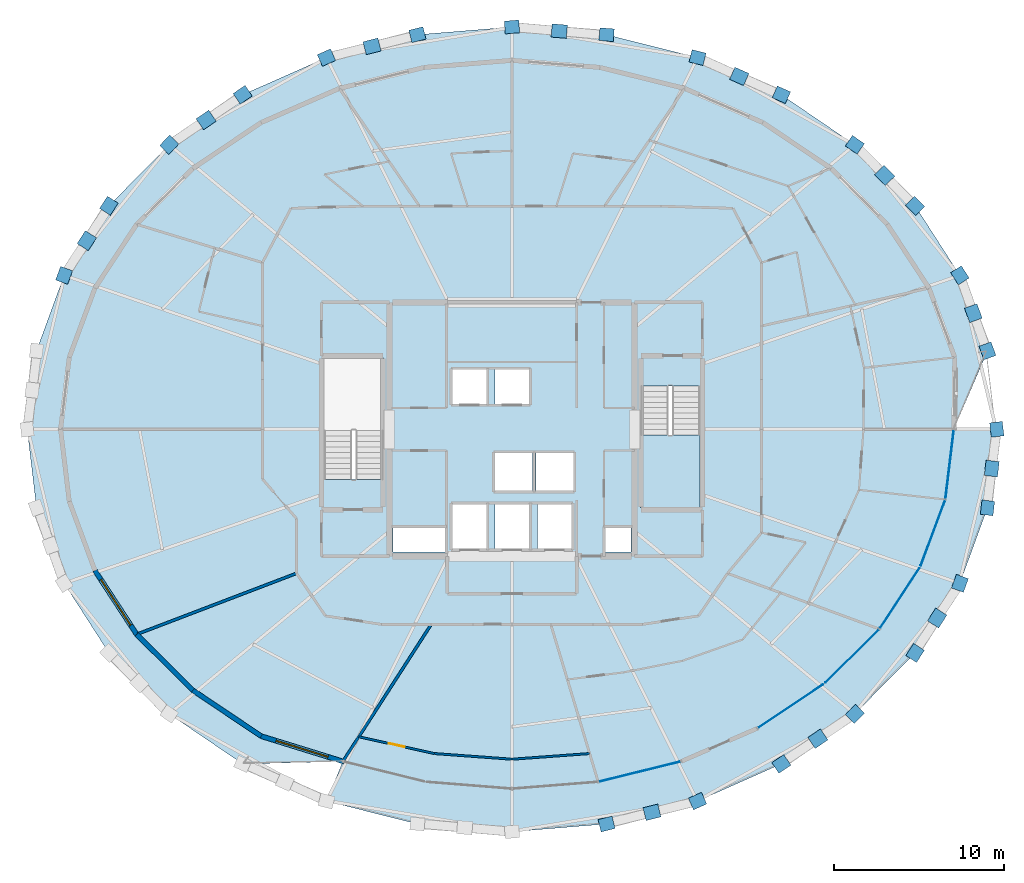
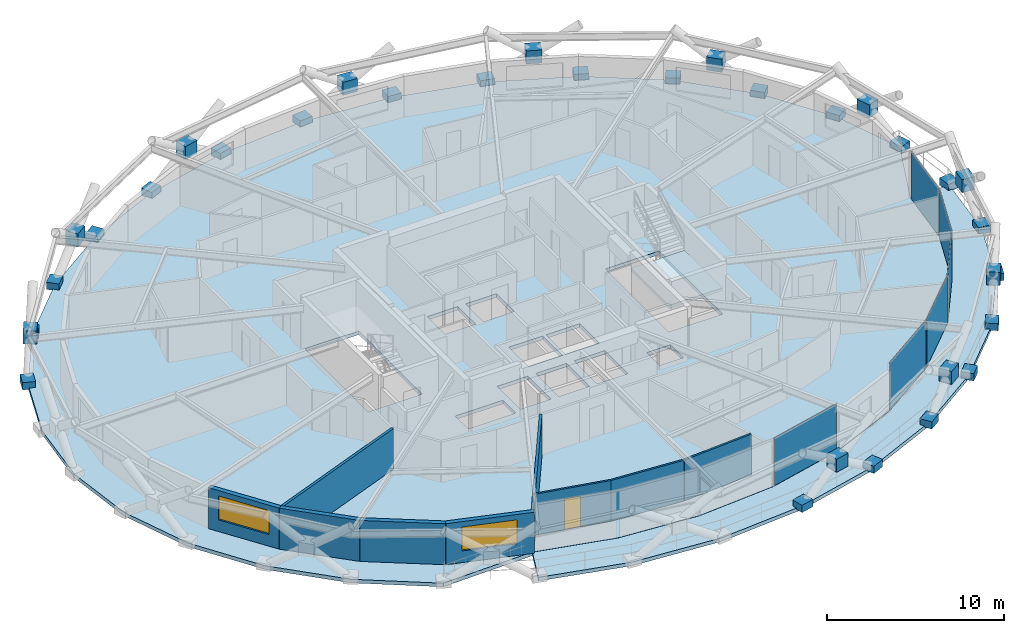
# One storey, part 13 of 21: 39 plates, 9 walls, 3 slabs, 2 windows, 1 door, 3 openings, 3 elements without a shape of their own.
"""IFC4 building model written with IfcOpenShell, lengths in metres."""

from ifc_helpers import new_model, si_unit, direction, frame, frame_2d, origin, origin_2d, place, context, subcontext, project, spatial, polyline, rectangle, outline, extrude, material, layer, layer_set, type_object, element, fill, aggregate, save


model = new_model("IFC4")

# Units and contexts
model_context = context("Model", 3, precision=1e-05, world=origin(), true_north=direction((0.0, 1.0)))
body_context = subcontext(model_context, "Body", "Model", "MODEL_VIEW")
ifc_project = project(units=[si_unit("LENGTHUNIT", "METRE"), si_unit("AREAUNIT", "SQUARE_METRE"), si_unit("VOLUMEUNIT", "CUBIC_METRE"), si_unit("PLANEANGLEUNIT", "RADIAN"), si_unit("MASSUNIT", "GRAM", prefix="KILO")], contexts=[model_context])

# Site, building, storey
site_placement = place(None, origin())
site = spatial("IfcSite", under=ifc_project, at=site_placement, CompositionType="ELEMENT")
building_placement = place(site_placement, origin())
building = spatial("IfcBuilding", under=site, at=building_placement, Name="Veldorina Hangang Commons", CompositionType="ELEMENT")
storey_placement = place(building_placement, frame((0.0, 0.0, 138.800048828125)))
storey = spatial("IfcBuildingStorey", under=building, at=storey_placement, Name="L35", CompositionType="ELEMENT", Elevation=138.800048828125)

# Curtain wall, plate
ifc_material_1 = material(Name="Glass Low-E Triple IGU", Category="glass")
ifc_layer_1 = layer(ifc_material_1, 0.179931640625)
ifc_layer_set_1 = layer_set([ifc_layer_1], Name="Glass Low-E Triple IGU")
curtain_wall_type = type_object("IfcCurtainWallType", Name="CW-SYS-Z2", PredefinedType="NOTDEFINED", material=ifc_layer_set_1)
curtain_wall_1_placement = place(storey_placement, origin())
curtain_wall_1 = element("IfcCurtainWall", 1, at=curtain_wall_1_placement, inside=storey, type_object=curtain_wall_type, Name="L35 unitised curtain wall CW-L35-R1", PredefinedType="NOTDEFINED")
ifc_layer_2 = layer(ifc_material_1, 0.0400390625)
ifc_layer_set_2 = layer_set([ifc_layer_2], Name="Glass Low-E Triple IGU")
plate_type_1 = type_object("IfcPlateType", Name="CW-PNL-VIS", PredefinedType="CURTAIN_PANEL", material=ifc_layer_set_2)
plate_1_placement = place(storey_placement, frame((39.493408203125, 3.905029296875, 0.01513671875), z_axis=(0.0, 0.0, 1.0), x_axis=(0.970875593344, 0.239584186139, 0.0)))
plate_1 = element("IfcPlate", 2, at=plate_1_placement, type_object=plate_type_1, Name="CW-L35-R1 facet 4 glazed vision panel", PredefinedType="CURTAIN_PANEL", context=body_context, shape_type="SweptSolid", body=[
    extrude(rectangle(XDim=4.831787109375, YDim=0.0400390625, at=origin_2d()), origin(), (0.0, 0.0, 1.0), 3.280029296875),
])
aggregate(curtain_wall_1, [plate_1])

# Curtain wall, plates
curtain_wall_2_placement = place(storey_placement, origin())
curtain_wall_2 = element("IfcCurtainWall", 3, at=curtain_wall_2_placement, inside=storey, type_object=curtain_wall_type, Name="L35 unitised curtain wall CW-L35-R2", PredefinedType="NOTDEFINED")
plate_2_placement = place(storey_placement, frame((48.375732421875, 7.767333984375, 0.01513671875), z_axis=(0.0, 0.0, 1.0), x_axis=(0.831682874659, 0.55525093066, 0.0)))
plate_2 = element("IfcPlate", 4, at=plate_2_placement, type_object=plate_type_1, Name="CW-L35-R2 facet 1 glazed vision panel", PredefinedType="CURTAIN_PANEL", context=body_context, shape_type="SweptSolid", body=[
    extrude(rectangle(XDim=4.546142578125, YDim=0.0400390625, at=origin_2d()), origin(), (0.0, 0.0, 1.0), 3.280029296875),
])
plate_3_placement = place(storey_placement, frame((51.9541015625, 10.67822265625, 0.01513671875), z_axis=(0.0, 0.0, 1.0), x_axis=(0.71020994994, 0.703989933881, 0.0)))
plate_3 = element("IfcPlate", 5, at=plate_3_placement, type_object=plate_type_1, Name="CW-L35-R2 facet 2 glazed vision panel", PredefinedType="CURTAIN_PANEL", context=body_context, shape_type="SweptSolid", body=[
    extrude(rectangle(XDim=4.362060546875, YDim=0.0400390625, at=origin_2d()), origin(), (0.0, 0.0, 1.0), 3.280029296875),
])
plate_4_placement = place(storey_placement, frame((54.765380859375, 14.10107421875, 0.01513671875), z_axis=(0.0, 0.0, 1.0), x_axis=(0.549124927033, 0.83574027934, 0.0)))
plate_4 = element("IfcPlate", 6, at=plate_4_placement, type_object=plate_type_1, Name="CW-L35-R2 facet 3 glazed vision panel", PredefinedType="CURTAIN_PANEL", context=body_context, shape_type="SweptSolid", body=[
    extrude(rectangle(XDim=4.18505859375, YDim=0.0400390625, at=origin_2d()), origin(), (0.0, 0.0, 1.0), 3.280029296875),
])
plate_5_placement = place(storey_placement, frame((56.701904296875, 17.904296875, 0.01513671875), z_axis=(0.0, 0.0, 1.0), x_axis=(0.349389847328, 0.936977446145, 0.0)))
plate_5 = element("IfcPlate", 7, at=plate_5_placement, type_object=plate_type_1, Name="CW-L35-R2 facet 4 glazed vision panel", PredefinedType="CURTAIN_PANEL", context=body_context, shape_type="SweptSolid", body=[
    extrude(rectangle(XDim=4.04443359375, YDim=0.0400390625, at=origin_2d()), origin(), (0.0, 0.0, 1.0), 3.280029296875),
])
plate_6_placement = place(storey_placement, frame((57.689208984375, 21.941650390625, 0.01513671875), z_axis=(0.0, 0.0, 1.0), x_axis=(0.120188819323, 0.992751050218, 0.0)))
plate_6 = element("IfcPlate", 8, at=plate_6_placement, type_object=plate_type_1, Name="CW-L35-R2 facet 5 glazed vision panel", PredefinedType="CURTAIN_PANEL", context=body_context, shape_type="SweptSolid", body=[
    extrude(rectangle(XDim=3.966796875, YDim=0.0400390625, at=origin_2d()), origin(), (0.0, 0.0, 1.0), 3.280029296875),
])
aggregate(curtain_wall_2, [plate_2, plate_3, plate_4, plate_5, plate_6])

# Plates
ifc_material_2 = material(Name="Steel SM460-TMC", Category="steel")
ifc_layer_3 = layer(ifc_material_2, 0.035888671875)
ifc_layer_set_3 = layer_set([ifc_layer_3], Name="Steel SM460-TMC")
plate_type_2 = type_object("IfcPlateType", Name="PL-STAR-36", PredefinedType="USERDEFINED", material=ifc_layer_set_3)
for number, where, z_axis, x_axis, name in (
    (9, (60.458251953125, 24.0, -0.090087890625), (0.0, 0.0, 1.0), (-0.117832041622, 0.993033539195, 0.0), "L35 diagrid star-node gusset plate 00"),
    (10, (59.91162109375, 28.608154296875, -0.090087890625), (0.0, 0.0, 1.0), (-0.343282690313, 0.93923213027, 0.0), "L35 diagrid star-node gusset plate 01"),
):
    element("IfcPlate", number, at=place(storey_placement, frame(where, z_axis=z_axis, x_axis=x_axis)), inside=storey, type_object=plate_type_2, Name=name, ObjectType="GUSSET PLATE", PredefinedType="USERDEFINED", context=body_context, shape_type="SweptSolid", body=[
        extrude(rectangle(XDim=0.85009765625, YDim=0.75, at=origin_2d()), origin(), (0.0, 0.0, 1.0), 0.5),
    ])
plate_7_placement = place(storey_placement, frame((59.0810546875, 30.8193359375, 1.351318359375), z_axis=(0.0, 0.0, 1.0), x_axis=(-0.343282690313, 0.93923213027, 0.0)))
element("IfcPlate", 11, at=plate_7_placement, inside=storey, type_object=plate_type_2, Name="L35 diagrid X-crossing star-node gusset plate 01", ObjectType="GUSSET PLATE", PredefinedType="USERDEFINED", context=body_context, shape_type="SweptSolid", body=[
    extrude(rectangle(XDim=0.89990234375, YDim=0.780029296875, at=origin_2d()), origin(), (0.0, 0.0, 1.0), 0.89990234375),
])
for number, where, z_axis, x_axis, name in (
    (12, (58.2919921875, 33.039306640625, -0.090087890625), (0.0, 0.0, 1.0), (-0.541429438061, 0.84074619452, 0.0), "L35 diagrid star-node gusset plate 02"),
    (13, (55.662109375, 37.123046875, -0.090087890625), (0.0, 0.0, 1.0), (-0.703096902123, 0.71109404879, 0.0), "L35 diagrid star-node gusset plate 03"),
):
    element("IfcPlate", number, at=place(storey_placement, frame(where, z_axis=z_axis, x_axis=x_axis)), inside=storey, type_object=plate_type_2, Name=name, ObjectType="GUSSET PLATE", PredefinedType="USERDEFINED", context=body_context, shape_type="SweptSolid", body=[
        extrude(rectangle(XDim=0.85009765625, YDim=0.75, at=origin_2d()), origin(), (0.0, 0.0, 1.0), 0.5),
    ])
plate_8_placement = place(storey_placement, frame((53.8759765625, 38.9033203125, 1.351318359375), z_axis=(0.0, 0.0, 1.0), x_axis=(-0.703096902123, 0.71109404879, 0.0)))
element("IfcPlate", 14, at=plate_8_placement, inside=storey, type_object=plate_type_2, Name="L35 diagrid X-crossing star-node gusset plate 03", ObjectType="GUSSET PLATE", PredefinedType="USERDEFINED", context=body_context, shape_type="SweptSolid", body=[
    extrude(rectangle(XDim=0.89990234375, YDim=0.780029296875, at=origin_2d()), origin(), (0.0, 0.0, 1.0), 0.89990234375),
])
for number, where, z_axis, x_axis, name in (
    (15, (52.123046875, 40.702392578125, -0.090087890625), (0.0, 0.0, 1.0), (-0.82647185741, 0.562978035902, 0.0), "L35 diagrid star-node gusset plate 04"),
    (16, (47.810546875, 43.639892578125, -0.090087890625), (0.0, 0.0, 1.0), (-0.914084169721, 0.405524513027, 0.0), "L35 diagrid star-node gusset plate 05"),
):
    element("IfcPlate", number, at=place(storey_placement, frame(where, z_axis=z_axis, x_axis=x_axis)), inside=storey, type_object=plate_type_2, Name=name, ObjectType="GUSSET PLATE", PredefinedType="USERDEFINED", context=body_context, shape_type="SweptSolid", body=[
        extrude(rectangle(XDim=0.85009765625, YDim=0.75, at=origin_2d()), origin(), (0.0, 0.0, 1.0), 0.5),
    ])
plate_9_placement = place(storey_placement, frame((45.34033203125, 44.718017578125, 1.351318359375), z_axis=(0.0, 0.0, 1.0), x_axis=(-0.914084169721, 0.405524513027, 0.0)))
element("IfcPlate", 17, at=plate_9_placement, inside=storey, type_object=plate_type_2, Name="L35 diagrid X-crossing star-node gusset plate 05", ObjectType="GUSSET PLATE", PredefinedType="USERDEFINED", context=body_context, shape_type="SweptSolid", body=[
    extrude(rectangle(XDim=0.89990234375, YDim=0.780029296875, at=origin_2d()), origin(), (0.0, 0.0, 1.0), 0.89990234375),
])
for number, where, z_axis, x_axis, name in (
    (18, (42.890380859375, 45.82275390625, -0.090087890625), (0.0, 0.0, 1.0), (-0.969735803737, 0.244156652482, 0.0), "L35 diagrid star-node gusset plate 06"),
    (19, (37.552001953125, 47.1669921875, -0.090087890625), (0.0, 0.0, 1.0), (-0.996674466718, 0.081486240509, 0.0), "L35 diagrid star-node gusset plate 07"),
):
    element("IfcPlate", number, at=place(storey_placement, frame(where, z_axis=z_axis, x_axis=x_axis)), inside=storey, type_object=plate_type_2, Name=name, ObjectType="GUSSET PLATE", PredefinedType="USERDEFINED", context=body_context, shape_type="SweptSolid", body=[
        extrude(rectangle(XDim=0.85009765625, YDim=0.75, at=origin_2d()), origin(), (0.0, 0.0, 1.0), 0.5),
    ])
plate_10_placement = place(storey_placement, frame((34.773681640625, 47.37890625, 1.351318359375), z_axis=(0.0, 0.0, 1.0), x_axis=(-0.996674466718, 0.081486240509, 0.0)))
element("IfcPlate", 20, at=plate_10_placement, inside=storey, type_object=plate_type_2, Name="L35 diagrid X-crossing star-node gusset plate 07", ObjectType="GUSSET PLATE", PredefinedType="USERDEFINED", context=body_context, shape_type="SweptSolid", body=[
    extrude(rectangle(XDim=0.89990234375, YDim=0.780029296875, at=origin_2d()), origin(), (0.0, 0.0, 1.0), 0.89990234375),
])
for number, where, z_axis, x_axis, name in (
    (21, (32.0, 47.620849609375, -0.090087890625), (0.0, 0.0, 1.0), (-0.996674466718, -0.081486240509, 0.0), "L35 diagrid star-node gusset plate 08"),
    (22, (26.447998046875, 47.1669921875, -0.090087890625), (0.0, 0.0, 1.0), (-0.969735803737, -0.244156652482, 0.0), "L35 diagrid star-node gusset plate 09"),
):
    element("IfcPlate", number, at=place(storey_placement, frame(where, z_axis=z_axis, x_axis=x_axis)), inside=storey, type_object=plate_type_2, Name=name, ObjectType="GUSSET PLATE", PredefinedType="USERDEFINED", context=body_context, shape_type="SweptSolid", body=[
        extrude(rectangle(XDim=0.85009765625, YDim=0.75, at=origin_2d()), origin(), (0.0, 0.0, 1.0), 0.5),
    ])
plate_11_placement = place(storey_placement, frame((23.78515625, 46.480224609375, 1.351318359375), z_axis=(0.0, 0.0, 1.0), x_axis=(-0.969735803737, -0.244156652482, 0.0)))
element("IfcPlate", 23, at=plate_11_placement, inside=storey, type_object=plate_type_2, Name="L35 diagrid X-crossing star-node gusset plate 09", ObjectType="GUSSET PLATE", PredefinedType="USERDEFINED", context=body_context, shape_type="SweptSolid", body=[
    extrude(rectangle(XDim=0.89990234375, YDim=0.780029296875, at=origin_2d()), origin(), (0.0, 0.0, 1.0), 0.89990234375),
])
for number, where, z_axis, x_axis, name in (
    (24, (21.109619140625, 45.82275390625, -0.090087890625), (0.0, 0.0, 1.0), (-0.914084169721, -0.405524513027, 0.0), "L35 diagrid star-node gusset plate 10"),
    (25, (16.189453125, 43.639892578125, -0.090087890625), (0.0, 0.0, 1.0), (-0.82647185741, -0.562978035902, 0.0), "L35 diagrid star-node gusset plate 11"),
):
    element("IfcPlate", number, at=place(storey_placement, frame(where, z_axis=z_axis, x_axis=x_axis)), inside=storey, type_object=plate_type_2, Name=name, ObjectType="GUSSET PLATE", PredefinedType="USERDEFINED", context=body_context, shape_type="SweptSolid", body=[
        extrude(rectangle(XDim=0.85009765625, YDim=0.75, at=origin_2d()), origin(), (0.0, 0.0, 1.0), 0.5),
    ])
plate_12_placement = place(storey_placement, frame((14.047119140625, 42.159423828125, 1.351318359375), z_axis=(0.0, 0.0, 1.0), x_axis=(-0.82647185741, -0.562978035902, 0.0)))
element("IfcPlate", 26, at=plate_12_placement, inside=storey, type_object=plate_type_2, Name="L35 diagrid X-crossing star-node gusset plate 11", ObjectType="GUSSET PLATE", PredefinedType="USERDEFINED", context=body_context, shape_type="SweptSolid", body=[
    extrude(rectangle(XDim=0.89990234375, YDim=0.780029296875, at=origin_2d()), origin(), (0.0, 0.0, 1.0), 0.89990234375),
])
for number, where, z_axis, x_axis, name in (
    (27, (11.876953125, 40.702392578125, -0.090087890625), (0.0, 0.0, 1.0), (-0.703096902123, -0.71109404879, 0.0), "L35 diagrid star-node gusset plate 12"),
    (28, (8.337890625, 37.123046875, -0.090087890625), (0.0, 0.0, 1.0), (-0.541429438061, -0.84074619452, 0.0), "L35 diagrid star-node gusset plate 13"),
):
    element("IfcPlate", number, at=place(storey_placement, frame(where, z_axis=z_axis, x_axis=x_axis)), inside=storey, type_object=plate_type_2, Name=name, ObjectType="GUSSET PLATE", PredefinedType="USERDEFINED", context=body_context, shape_type="SweptSolid", body=[
        extrude(rectangle(XDim=0.85009765625, YDim=0.75, at=origin_2d()), origin(), (0.0, 0.0, 1.0), 0.5),
    ])
plate_13_placement = place(storey_placement, frame((7.042236328125, 35.073974609375, 1.351318359375), z_axis=(0.0, 0.0, 1.0), x_axis=(-0.541429438061, -0.84074619452, 0.0)))
element("IfcPlate", 29, at=plate_13_placement, inside=storey, type_object=plate_type_2, Name="L35 diagrid X-crossing star-node gusset plate 13", ObjectType="GUSSET PLATE", PredefinedType="USERDEFINED", context=body_context, shape_type="SweptSolid", body=[
    extrude(rectangle(XDim=0.89990234375, YDim=0.780029296875, at=origin_2d()), origin(), (0.0, 0.0, 1.0), 0.89990234375),
])
for number, where, z_axis, x_axis, name in (
    (30, (5.7080078125, 33.039306640625, -0.090087890625), (0.0, 0.0, 1.0), (-0.343282690313, -0.93923213027, 0.0), "L35 diagrid star-node gusset plate 14"),
    (31, (37.552001953125, 0.8330078125, -0.090087890625), (0.0, 0.0, 1.0), (0.969735803737, 0.244156652482, 0.0), "L35 diagrid star-node gusset plate 25"),
):
    element("IfcPlate", number, at=place(storey_placement, frame(where, z_axis=z_axis, x_axis=x_axis)), inside=storey, type_object=plate_type_2, Name=name, ObjectType="GUSSET PLATE", PredefinedType="USERDEFINED", context=body_context, shape_type="SweptSolid", body=[
        extrude(rectangle(XDim=0.85009765625, YDim=0.75, at=origin_2d()), origin(), (0.0, 0.0, 1.0), 0.5),
    ])
plate_14_placement = place(storey_placement, frame((40.21484375, 1.519775390625, 1.351318359375), z_axis=(0.0, 0.0, 1.0), x_axis=(0.969735803737, 0.244156652482, 0.0)))
element("IfcPlate", 32, at=plate_14_placement, inside=storey, type_object=plate_type_2, Name="L35 diagrid X-crossing star-node gusset plate 25", ObjectType="GUSSET PLATE", PredefinedType="USERDEFINED", context=body_context, shape_type="SweptSolid", body=[
    extrude(rectangle(XDim=0.89990234375, YDim=0.780029296875, at=origin_2d()), origin(), (0.0, 0.0, 1.0), 0.89990234375),
])
for number, where, z_axis, x_axis, name in (
    (33, (42.890380859375, 2.17724609375, -0.090087890625), (0.0, 0.0, 1.0), (0.914084169721, 0.405524513027, 0.0), "L35 diagrid star-node gusset plate 26"),
    (34, (47.810546875, 4.360107421875, -0.090087890625), (0.0, 0.0, 1.0), (0.82647185741, 0.562978035902, 0.0), "L35 diagrid star-node gusset plate 27"),
):
    element("IfcPlate", number, at=place(storey_placement, frame(where, z_axis=z_axis, x_axis=x_axis)), inside=storey, type_object=plate_type_2, Name=name, ObjectType="GUSSET PLATE", PredefinedType="USERDEFINED", context=body_context, shape_type="SweptSolid", body=[
        extrude(rectangle(XDim=0.85009765625, YDim=0.75, at=origin_2d()), origin(), (0.0, 0.0, 1.0), 0.5),
    ])
plate_15_placement = place(storey_placement, frame((49.952880859375, 5.840576171875, 1.351318359375), z_axis=(0.0, 0.0, 1.0), x_axis=(0.82647185741, 0.562978035902, 0.0)))
element("IfcPlate", 35, at=plate_15_placement, inside=storey, type_object=plate_type_2, Name="L35 diagrid X-crossing star-node gusset plate 27", ObjectType="GUSSET PLATE", PredefinedType="USERDEFINED", context=body_context, shape_type="SweptSolid", body=[
    extrude(rectangle(XDim=0.89990234375, YDim=0.780029296875, at=origin_2d()), origin(), (0.0, 0.0, 1.0), 0.89990234375),
])
for number, where, z_axis, x_axis, name in (
    (36, (52.123046875, 7.297607421875, -0.090087890625), (0.0, 0.0, 1.0), (0.703096902123, 0.71109404879, 0.0), "L35 diagrid star-node gusset plate 28"),
    (37, (55.662109375, 10.876953125, -0.090087890625), (0.0, 0.0, 1.0), (0.541429438061, 0.84074619452, 0.0), "L35 diagrid star-node gusset plate 29"),
):
    element("IfcPlate", number, at=place(storey_placement, frame(where, z_axis=z_axis, x_axis=x_axis)), inside=storey, type_object=plate_type_2, Name=name, ObjectType="GUSSET PLATE", PredefinedType="USERDEFINED", context=body_context, shape_type="SweptSolid", body=[
        extrude(rectangle(XDim=0.85009765625, YDim=0.75, at=origin_2d()), origin(), (0.0, 0.0, 1.0), 0.5),
    ])
plate_16_placement = place(storey_placement, frame((56.957763671875, 12.926025390625, 1.351318359375), z_axis=(0.0, 0.0, 1.0), x_axis=(0.541429438061, 0.84074619452, 0.0)))
element("IfcPlate", 38, at=plate_16_placement, inside=storey, type_object=plate_type_2, Name="L35 diagrid X-crossing star-node gusset plate 29", ObjectType="GUSSET PLATE", PredefinedType="USERDEFINED", context=body_context, shape_type="SweptSolid", body=[
    extrude(rectangle(XDim=0.89990234375, YDim=0.780029296875, at=origin_2d()), origin(), (0.0, 0.0, 1.0), 0.89990234375),
])
for number, where, z_axis, x_axis, name in (
    (39, (58.2919921875, 14.960693359375, -0.090087890625), (0.0, 0.0, 1.0), (0.343282690313, 0.93923213027, 0.0), "L35 diagrid star-node gusset plate 30"),
    (40, (59.91162109375, 19.391845703125, -0.090087890625), (0.0, 0.0, 1.0), (0.117832041622, 0.993033539195, 0.0), "L35 diagrid star-node gusset plate 31"),
):
    element("IfcPlate", number, at=place(storey_placement, frame(where, z_axis=z_axis, x_axis=x_axis)), inside=storey, type_object=plate_type_2, Name=name, ObjectType="GUSSET PLATE", PredefinedType="USERDEFINED", context=body_context, shape_type="SweptSolid", body=[
        extrude(rectangle(XDim=0.85009765625, YDim=0.75, at=origin_2d()), origin(), (0.0, 0.0, 1.0), 0.5),
    ])
plate_17_placement = place(storey_placement, frame((60.1630859375, 21.697509765625, 1.351318359375), z_axis=(0.0, 0.0, 1.0), x_axis=(0.117832041622, 0.993033539195, 0.0)))
element("IfcPlate", 41, at=plate_17_placement, inside=storey, type_object=plate_type_2, Name="L35 diagrid X-crossing star-node gusset plate 31", ObjectType="GUSSET PLATE", PredefinedType="USERDEFINED", context=body_context, shape_type="SweptSolid", body=[
    extrude(rectangle(XDim=0.89990234375, YDim=0.780029296875, at=origin_2d()), origin(), (0.0, 0.0, 1.0), 0.89990234375),
])

# Slabs
ifc_material_3 = material(Name="Concrete C40/50", Category="concrete")
ifc_layer_4 = layer(ifc_material_3, 0.25)
ifc_layer_set_4 = layer_set([ifc_layer_4], Name="Concrete C40/50")
slab_type_1 = type_object("IfcSlabType", Name="SL-FLR-250", PredefinedType="FLOOR", material=ifc_layer_set_4)
slab_1_placement = place(storey_placement, frame((0.0, 0.0, -0.25)))
element("IfcSlab", 42, at=slab_1_placement, inside=storey, type_object=slab_type_1, Name="L35 tower structural floor slab", PredefinedType="FLOOR", context=body_context, shape_type="SweptSolid", body=[
    extrude(outline(polyline([(57.938232421875, 24.0), (59.91162109375, 28.608154296875), (58.2919921875, 33.039306640625), (55.662109375, 37.123046875), (52.123046875, 40.702392578125), (47.810546875, 43.639892578125), (42.890380859375, 45.82275390625), (37.552001953125, 47.1669921875), (32.0, 47.620849609375), (26.447998046875, 47.1669921875), (21.109619140625, 45.82275390625), (16.189453125, 43.639892578125), (11.876953125, 40.702392578125), (8.337890625, 37.123046875), (5.7080078125, 33.039306640625), (4.08837890625, 28.608154296875), (3.541748046875, 24.0), (4.08837890625, 19.391845703125), (5.7080078125, 14.960693359375), (8.337890625, 10.876953125), (11.876953125, 7.297607421875), (16.189453125, 4.360107421875), (22.07373046875, 4.50537109375), (26.939697265625, 3.3046875), (32.0, 2.899169921875), (37.060302734375, 3.3046875), (41.92626953125, 4.50537109375), (46.410400390625, 6.455322265625), (50.341064453125, 9.07958984375), (53.56689453125, 12.277099609375), (55.9638671875, 15.925048828125), (57.43994140625, 19.88330078125), (57.938232421875, 24.0)]), holes=[polyline([(20.949951171875, 21.05810546875), (20.949951171875, 28.199951171875), (24.449951171875, 28.199951171875), (24.449951171875, 21.05810546875), (20.949951171875, 21.05810546875)]), polyline([(43.050048828125, 26.5419921875), (43.050048828125, 19.39990234375), (39.550048828125, 19.39990234375), (39.550048828125, 26.5419921875), (43.050048828125, 26.5419921875)]), polyline([(28.5, 27.5), (30.5, 27.5), (30.5, 25.5), (28.5, 25.5), (28.5, 27.5)]), polyline([(31.0, 27.5), (33.0, 27.5), (33.0, 25.5), (31.0, 25.5), (31.0, 27.5)]), polyline([(31.0, 22.60009765625), (33.199951171875, 22.60009765625), (33.199951171875, 20.39990234375), (31.0, 20.39990234375), (31.0, 22.60009765625)]), polyline([(33.39990234375, 22.60009765625), (35.60009765625, 22.60009765625), (35.60009765625, 20.39990234375), (33.39990234375, 20.39990234375), (33.39990234375, 22.60009765625)]), polyline([(28.5, 19.60009765625), (30.5, 19.60009765625), (30.5, 17.0), (28.5, 17.0), (28.5, 19.60009765625)]), polyline([(31.0, 19.60009765625), (33.0, 19.60009765625), (33.0, 17.0), (31.0, 17.0), (31.0, 19.60009765625)]), polyline([(33.5, 19.60009765625), (35.5, 19.60009765625), (35.5, 17.0), (33.5, 17.0), (33.5, 19.60009765625)]), polyline([(25.0, 18.25), (28.10009765625, 18.25), (28.10009765625, 16.800048828125), (25.0, 16.800048828125), (25.0, 18.25)]), polyline([(37.449951171875, 18.25), (39.0, 18.25), (39.0, 16.800048828125), (37.449951171875, 16.800048828125), (37.449951171875, 18.25)])]), origin(), (0.0, 0.0, 1.0), 0.25),
])
slab_2_placement = place(storey_placement, frame((0.0, 0.0, -0.25)))
element("IfcSlab", 43, at=slab_2_placement, inside=storey, type_object=slab_type_1, Name="L35 sky-garden loggia outdoor slab", PredefinedType="FLOOR", context=body_context, shape_type="SweptSolid", body=[
    extrude(outline(polyline([(60.458251953125, 24.0), (59.91162109375, 19.391845703125), (58.2919921875, 14.960693359375), (55.662109375, 10.876953125), (52.123046875, 7.297607421875), (47.810546875, 4.360107421875), (42.890380859375, 2.17724609375), (37.552001953125, 0.8330078125), (32.0, 0.379150390625), (26.447998046875, 0.8330078125), (21.109619140625, 2.17724609375), (22.0673828125, 4.490234375), (22.072265625, 4.490478515625), (26.93603515625, 3.2900390625), (26.937255859375, 3.289794921875), (26.9384765625, 3.28955078125), (31.998779296875, 2.88427734375), (32.0, 2.88427734375), (32.001220703125, 2.88427734375), (37.0615234375, 3.28955078125), (37.062744140625, 3.289794921875), (37.06396484375, 3.2900390625), (41.9296875, 4.49072265625), (41.930908203125, 4.4912109375), (41.93212890625, 4.49169921875), (46.41650390625, 6.44140625), (46.417724609375, 6.442138671875), (46.418701171875, 6.44287109375), (50.349365234375, 9.06689453125), (50.3505859375, 9.06787109375), (50.351806640625, 9.06884765625), (53.577392578125, 12.266357421875), (53.57861328125, 12.267578125), (53.579345703125, 12.268798828125), (55.976318359375, 15.9169921875), (55.977294921875, 15.918212890625), (55.97802734375, 15.919921875), (57.4541015625, 19.878173828125), (57.45458984375, 19.8798828125), (57.454833984375, 19.881591796875), (57.952880859375, 23.99609375), (57.95458984375, 24.0), (60.458251953125, 24.0)])), origin(), (0.0, 0.0, 1.0), 0.25),
])

# Stair, slab
stair_type = type_object("IfcStairType", Name="STR-DOG-1650-20R", PredefinedType="HALF_TURN_STAIR", material=ifc_material_3)
stair_placement = place(storey_placement, origin())
stair = element("IfcStair", 44, at=stair_placement, inside=storey, type_object=stair_type, Name="L35 Exit stair ST-2", PredefinedType="HALF_TURN_STAIR")
ifc_layer_5 = layer(ifc_material_3, 0.199951171875)
ifc_layer_set_5 = layer_set([ifc_layer_5], Name="Concrete C40/50")
slab_type_2 = type_object("IfcSlabType", Name="SL-LND-200", PredefinedType="LANDING", material=ifc_layer_set_5)
slab_3_placement = place(storey_placement, frame((0.0, 0.0, 1.599853515625)))
slab_3 = element("IfcSlab", 45, at=slab_3_placement, type_object=slab_type_2, Name="ST-2 landing 1", PredefinedType="LANDING", context=body_context, shape_type="SweptSolid", body=[
    extrude(outline(polyline([(39.550048828125, 23.669921875), (39.550048828125, 19.39990234375), (43.050048828125, 19.39990234375), (43.050048828125, 23.669921875), (39.550048828125, 23.669921875)])), origin(), (0.0, 0.0, 1.0), 0.2001953125),
])
aggregate(stair, [slab_3])

# Wall, opening, window
ifc_material_4 = material(Name="Stone Roman Travertine", Category="masonry")
ifc_layer_6 = layer(ifc_material_4, 0.280029296875)
ifc_layer_set_6 = layer_set([ifc_layer_6], Name="Stone Roman Travertine")
wall_type_1 = type_object("IfcWallType", Name="EW-TRAV-280", PredefinedType="STANDARD", material=ifc_layer_set_6)
wall_1_placement = place(storey_placement, frame((7.518798828125, 15.710693359375, 0.0), z_axis=(0.0, 0.0, 1.0), x_axis=(0.54727435463, -0.836953272749, 0.0)))
wall_1 = element("IfcWall", 46, at=wall_1_placement, inside=storey, type_object=wall_type_1, Name="L35 travertine facade wall 18", PredefinedType="STANDARD", context=body_context, shape_type="SweptSolid", body=[
    extrude(rectangle(XDim=4.474365234375, YDim=0.280029296875, at=frame_2d((2.2373046875, 0.0))), origin(), (0.0, 0.0, 1.0), 2.820068359375),
])
opening_1_placement = place(wall_1_placement, frame((0.63720703125, 0.0, 0.800048828125)))
opening_1 = element("IfcOpeningElement", 47, at=opening_1_placement, cuts=wall_1, Name="Opening W-01", PredefinedType="OPENING", context=body_context, shape_type="SweptSolid", body=[
    extrude(rectangle(XDim=3.199951171875, YDim=1.64990234375, at=frame_2d((1.60009765625, 0.824951171875))), frame((0.0, 0.14990234375, 0.0), z_axis=(0.0, -1.0, 0.0), x_axis=(1.0, 0.0, 0.0)), (0.0, 0.0, 1.0), 0.300048828125),
])
window_type = type_object("IfcWindowType", Name="WIN-TWR-3200", PartitioningType="SINGLE_PANEL", PredefinedType="WINDOW", material=ifc_material_1)
window_1_placement = place(opening_1_placement, origin())
window_1 = element("IfcWindow", 48, at=window_1_placement, inside=storey, type_object=window_type, Name="L35 facade window 18", OverallHeight=1.64990234375, OverallWidth=3.199951171875, PartitioningType="SINGLE_PANEL", PredefinedType="WINDOW", context=body_context, shape_type="SweptSolid", body=[
    extrude(rectangle(XDim=3.199951171875, YDim=1.64990234375, at=frame_2d((1.60009765625, 0.824951171875))), frame((0.0, 0.030029296875, 0.0), z_axis=(0.0, -1.0, 0.0), x_axis=(1.0, 0.0, 0.0)), (0.0, 0.0, 1.0), 0.06005859375),
])
fill(opening_1, window_1)

# Walls
wall_2_placement = place(storey_placement, frame((9.967529296875, 11.9658203125, 0.0), z_axis=(0.0, 0.0, 1.0), x_axis=(0.708522616078, -0.705688105686, 0.0)))
element("IfcWall", 49, at=wall_2_placement, inside=storey, type_object=wall_type_1, Name="L35 travertine facade wall 19", PredefinedType="STANDARD", context=body_context, shape_type="SweptSolid", body=[
    extrude(rectangle(XDim=4.651123046875, YDim=0.280029296875, at=frame_2d((2.32568359375, 0.0))), origin(), (0.0, 0.0, 1.0), 2.820068359375),
])
wall_3_placement = place(storey_placement, frame((13.262939453125, 8.68359375, 0.0), z_axis=(0.0, 0.0, 1.0), x_axis=(0.830431041812, -0.557121427334, 0.0)))
element("IfcWall", 50, at=wall_3_placement, inside=storey, type_object=wall_type_1, Name="L35 travertine facade wall 20", PredefinedType="STANDARD", context=body_context, shape_type="SweptSolid", body=[
    extrude(rectangle(XDim=4.835205078125, YDim=0.280029296875, at=frame_2d((2.41748046875, 0.0))), origin(), (0.0, 0.0, 1.0), 2.820068359375),
])

# Wall, opening, window
wall_4_placement = place(storey_placement, frame((17.2783203125, 5.98974609375, 0.0), z_axis=(0.0, 0.0, 1.0), x_axis=(0.955287175472, -0.29567957721, 0.0)))
wall_4 = element("IfcWall", 51, at=wall_4_placement, inside=storey, type_object=wall_type_1, Name="L35 travertine facade wall 21", PredefinedType="STANDARD", context=body_context, shape_type="SweptSolid", body=[
    extrude(rectangle(XDim=5.11181640625, YDim=0.280029296875, at=frame_2d((2.555908203125, 0.0))), origin(), (0.0, 0.0, 1.0), 2.820068359375),
])
opening_2_placement = place(wall_4_placement, frame((0.909912109375, 0.0, 0.800048828125)))
opening_2 = element("IfcOpeningElement", 52, at=opening_2_placement, cuts=wall_4, Name="Opening W-01", PredefinedType="OPENING", context=body_context, shape_type="SweptSolid", body=[
    extrude(rectangle(XDim=3.199951171875, YDim=1.64990234375, at=frame_2d((1.60009765625, 0.824951171875))), frame((0.0, 0.14990234375, 0.0), z_axis=(0.0, -1.0, 0.0), x_axis=(1.0, 0.0, 0.0)), (0.0, 0.0, 1.0), 0.300048828125),
])
window_2_placement = place(opening_2_placement, origin())
window_2 = element("IfcWindow", 53, at=window_2_placement, inside=storey, type_object=window_type, Name="L35 facade window 21", OverallHeight=1.64990234375, OverallWidth=3.199951171875, PartitioningType="SINGLE_PANEL", PredefinedType="WINDOW", context=body_context, shape_type="SweptSolid", body=[
    extrude(rectangle(XDim=3.199951171875, YDim=1.64990234375, at=frame_2d((1.60009765625, 0.824951171875))), frame((0.0, 0.030029296875, 0.0), z_axis=(0.0, -1.0, 0.0), x_axis=(1.0, 0.0, 0.0)), (0.0, 0.0, 1.0), 0.06005859375),
])
fill(opening_2, window_2)

# Walls
ifc_material_5 = material(Name="Gypsum Fire-Rated Twin Stud Wall", Category="gypsum")
ifc_layer_7 = layer(ifc_material_5, 0.159912109375)
ifc_layer_set_7 = layer_set([ifc_layer_7], Name="Gypsum Fire-Rated Twin Stud Wall")
wall_type_2 = type_object("IfcWallType", Name="WL-FIRE-160", PredefinedType="SOLIDWALL", material=ifc_layer_set_7)
wall_5_placement = place(storey_placement, frame((19.35009765625, 15.547607421875, 0.0), z_axis=(0.0, 0.0, 1.0), x_axis=(-0.934240587941, -0.356643412729, 0.0)))
element("IfcWall", 54, at=wall_5_placement, inside=storey, type_object=wall_type_2, Name="L35 Unit party wall 19 110", PredefinedType="SOLIDWALL", context=body_context, shape_type="SweptSolid", body=[
    extrude(rectangle(XDim=9.9931640625, YDim=0.159912109375, at=frame_2d((4.99658203125, 0.0))), origin(), (0.0, 0.0, 1.0), 2.800048828125),
])
wall_6_placement = place(storey_placement, frame((27.25732421875, 12.550048828125, 0.0), z_axis=(0.0, 0.0, 1.0), x_axis=(-0.541642544566, -0.840608918532, 0.0)))
element("IfcWall", 55, at=wall_6_placement, inside=storey, type_object=wall_type_2, Name="L35 Unit party wall 22 111", PredefinedType="SOLIDWALL", context=body_context, shape_type="SweptSolid", body=[
    extrude(rectangle(XDim=9.52001953125, YDim=0.159912109375, at=frame_2d((4.760009765625, 0.0))), origin(), (0.0, 0.0, 1.0), 2.800048828125),
])

# Wall, opening, door
ifc_material_6 = material(Name="Gypsum Acoustic Stud Partition", Category="gypsum")
ifc_layer_8 = layer(ifc_material_6, 0.1201171875)
ifc_layer_set_8 = layer_set([ifc_layer_8], Name="Gypsum Acoustic Stud Partition")
wall_type_3 = type_object("IfcWallType", Name="WL-PART-120", PredefinedType="PARTITIONING", material=ifc_layer_set_8)
wall_7_placement = place(storey_placement, frame((23.0068359375, 5.953369140625, 0.0), z_axis=(0.0, 0.0, 1.0), x_axis=(0.976218669564, -0.21678816664, 0.0)))
wall_7 = element("IfcWall", 56, at=wall_7_placement, inside=storey, type_object=wall_type_3, Name="L35 Laundry split 0 112", PredefinedType="PARTITIONING", context=body_context, shape_type="SweptSolid", body=[
    extrude(rectangle(XDim=4.541748046875, YDim=0.1201171875, at=frame_2d((2.27099609375, 0.0))), origin(), (0.0, 0.0, 1.0), 2.800048828125),
])
opening_3_placement = place(wall_7_placement, frame((1.7958984375, 0.0, 0.0)))
opening_3 = element("IfcOpeningElement", 57, at=opening_3_placement, cuts=wall_7, Name="Opening D-02", PredefinedType="OPENING", context=body_context, shape_type="SweptSolid", body=[
    extrude(rectangle(XDim=0.949951171875, YDim=2.10009765625, at=frame_2d((0.47509765625, 1.050048828125))), frame((0.0, 0.070068359375, 0.0), z_axis=(0.0, -1.0, 0.0), x_axis=(1.0, 0.0, 0.0)), (0.0, 0.0, 1.0), 0.14013671875),
])
ifc_material_7 = material(Name="Timber Solid Core Acoustic", Category="wood")
door_type = type_object("IfcDoorType", Name="DR-INT-950", OperationType="SINGLE_SWING_LEFT", PredefinedType="DOOR", material=ifc_material_7)
door_placement = place(opening_3_placement, origin())
door = element("IfcDoor", 58, at=door_placement, inside=storey, type_object=door_type, Name="L35 Resident laundry inner door 039", OperationType="SINGLE_SWING_LEFT", OverallHeight=2.10009765625, OverallWidth=0.949951171875, PredefinedType="DOOR", context=body_context, shape_type="SweptSolid", body=[
    extrude(rectangle(XDim=0.949951171875, YDim=2.10009765625, at=frame_2d((0.47509765625, 1.050048828125))), frame((0.0, 0.02490234375, 0.0), z_axis=(0.0, -1.0, 0.0), x_axis=(1.0, 0.0, 0.0)), (0.0, 0.0, 1.0), 0.050048828125),
])
fill(opening_3, door)

# Walls
for number, where, z_axis, x_axis, name in (
    (59, (27.440673828125, 4.96875, 0.0), (0.0, 0.0, 1.0), (0.997351044353, -0.072738533998, 0.0), "L35 Laundry split 1 113"),
    (60, (32.0, 4.63623046875, 0.0), (0.0, 0.0, 1.0), (0.997351044353, 0.072738533998, 0.0), "L35 Laundry split 2 114"),
):
    element("IfcWall", number, at=place(storey_placement, frame(where, z_axis=z_axis, x_axis=x_axis)), inside=storey, type_object=wall_type_3, Name=name, PredefinedType="PARTITIONING", context=body_context, shape_type="SweptSolid", body=[
        extrude(rectangle(XDim=4.571533203125, YDim=0.1201171875, at=frame_2d((2.28564453125, 0.0))), origin(), (0.0, 0.0, 1.0), 2.800048828125),
    ])

save(model, "model.ifc")
